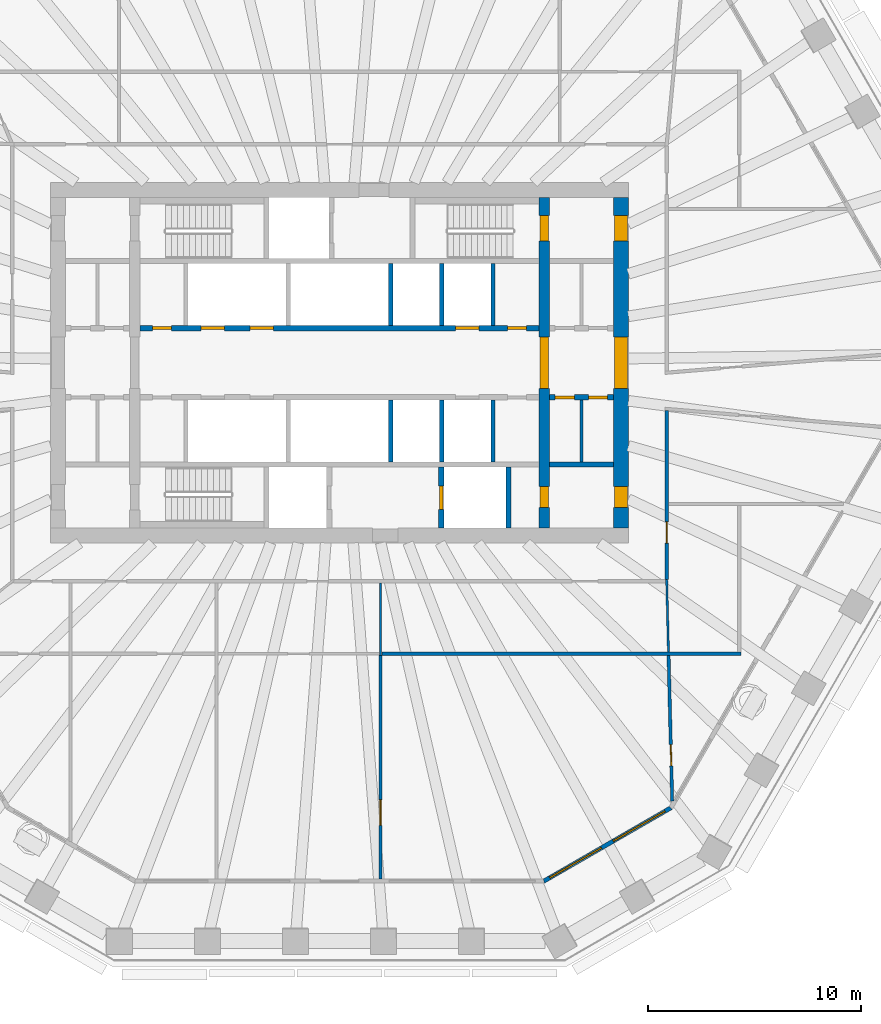
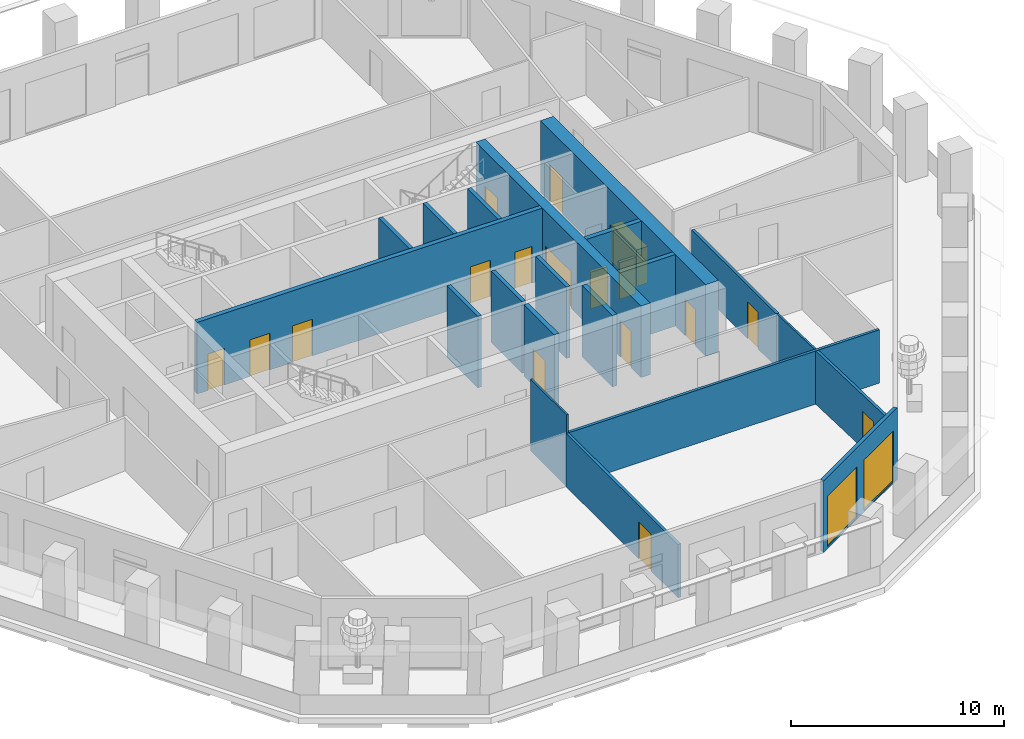
# One storey, part 5 of 12: 21 walls, 17 doors, 2 windows, 19 openings.
"""IFC4 building model written with IfcOpenShell, lengths in metres."""

from ifc_helpers import new_model, si_unit, direction, frame, frame_2d, origin, place, context, subcontext, project, spatial, polyline, rectangle, outline, extrude, material, layer, layer_set, type_object, element, fill, save


model = new_model("IFC4")

# Units and contexts
model_context = context("Model", 3, precision=1e-05, world=origin(), true_north=direction((0.0, 1.0)))
body_context = subcontext(model_context, "Body", "Model", "MODEL_VIEW")
ifc_project = project(units=[si_unit("LENGTHUNIT", "METRE"), si_unit("AREAUNIT", "SQUARE_METRE"), si_unit("VOLUMEUNIT", "CUBIC_METRE"), si_unit("PLANEANGLEUNIT", "RADIAN"), si_unit("MASSUNIT", "GRAM", prefix="KILO")], contexts=[model_context])

# Site, building, storey
site_placement = place(None, origin())
site = spatial("IfcSite", under=ifc_project, at=site_placement, CompositionType="ELEMENT")
building_placement = place(site_placement, origin())
building = spatial("IfcBuilding", under=site, at=building_placement, Name="Frailejon Research Tower", CompositionType="ELEMENT")
storey_placement = place(building_placement, frame((0.0, 0.0, 158.39990234375)))
storey = spatial("IfcBuildingStorey", under=building, at=storey_placement, Name="L34", CompositionType="ELEMENT", Elevation=158.39990234375)

# Wall
ifc_material_1 = material(Name="Plasterboard on steel studs", Category="steel")
ifc_layer_1 = layer(ifc_material_1, 0.125)
ifc_layer_set_1 = layer_set([ifc_layer_1], Name="Core partition 125")
wall_type_1 = type_object("IfcWallType", Name="Core partition 125", PredefinedType="PARTITIONING", material=ifc_layer_set_1)
wall_1_placement = place(storey_placement, frame((11.35009765625, -4.64990234375, 0.0), z_axis=(0.0, 0.0, 1.0), x_axis=(0.0, 1.0, 0.0)))
element("IfcWall", 1, at=wall_1_placement, inside=storey, type_object=wall_type_1, Name="Core partition", PredefinedType="PARTITIONING", context=body_context, shape_type="SweptSolid", body=[
    extrude(rectangle(XDim=2.89990234375, YDim=0.125, at=frame_2d((1.449951171875, 0.0))), origin(), (0.0, 0.0, 1.0), 4.10009765625),
])

# Wall, openings, doors
ifc_material_2 = material(Name="Concrete C60/75", Category="concrete")
ifc_layer_2 = layer(ifc_material_2, 0.5)
ifc_layer_set_2 = layer_set([ifc_layer_2], Name="Core shear wall 500 C60/75")
wall_type_2 = type_object("IfcWallType", Name="Core shear wall 500 C60/75", PredefinedType="SHEAR", material=ifc_layer_set_2)
wall_2_placement = place(storey_placement, frame((9.60009765625, -7.75, 0.0), z_axis=(0.0, 0.0, 1.0), x_axis=(0.0, 1.0, 0.0)))
wall_2 = element("IfcWall", 2, at=wall_2_placement, inside=storey, type_object=wall_type_2, Name="Core shear wall", PredefinedType="SHEAR", context=body_context, shape_type="SweptSolid", body=[
    extrude(rectangle(XDim=15.5, YDim=0.5, at=frame_2d((7.75, 0.0))), origin(), (0.0, 0.0, 1.0), 4.10009765625),
])
opening_1_placement = place(wall_2_placement, frame((6.550048828125, 0.0, 0.0)))
opening_1 = element("IfcOpeningElement", 3, at=opening_1_placement, cuts=wall_2, Name="Opening D2", PredefinedType="OPENING", context=body_context, shape_type="SweptSolid", body=[
    extrude(rectangle(XDim=2.39990234375, YDim=2.10009765625, at=frame_2d((1.199951171875, 1.050048828125))), frame((0.0, 0.260009765625, 0.0), z_axis=(0.0, -1.0, 0.0), x_axis=(1.0, 0.0, 0.0)), (0.0, 0.0, 1.0), 0.52001953125),
])
opening_2_placement = place(wall_2_placement, frame((13.449951171875, 0.0, 0.0)))
opening_2 = element("IfcOpeningElement", 4, at=opening_2_placement, cuts=wall_2, Name="Opening D1", PredefinedType="OPENING", context=body_context, shape_type="SweptSolid", body=[
    extrude(rectangle(XDim=1.199951171875, YDim=2.10009765625, at=frame_2d((0.60009765625, 1.050048828125))), frame((0.0, 0.260009765625, 0.0), z_axis=(0.0, -1.0, 0.0), x_axis=(1.0, 0.0, 0.0)), (0.0, 0.0, 1.0), 0.52001953125),
])
opening_3_placement = place(wall_2_placement, frame((0.949951171875, 0.0, 0.0)))
opening_3 = element("IfcOpeningElement", 5, at=opening_3_placement, cuts=wall_2, Name="Opening D4", PredefinedType="OPENING", context=body_context, shape_type="SweptSolid", body=[
    extrude(rectangle(XDim=1.0, YDim=2.10009765625, at=frame_2d((0.5, 1.050048828125))), frame((0.0, 0.260009765625, 0.0), z_axis=(0.0, -1.0, 0.0), x_axis=(1.0, 0.0, 0.0)), (0.0, 0.0, 1.0), 0.52001953125),
])
ifc_material_3 = material(Name="Steel", Category="steel")
door_type_1 = type_object("IfcDoorType", Name="Lobby double door", OperationType="DOUBLE_DOOR_SINGLE_SWING", PredefinedType="DOOR", material=ifc_material_3)
door_1_placement = place(opening_1_placement, origin())
door_1 = element("IfcDoor", 6, at=door_1_placement, inside=storey, type_object=door_type_1, Name="Lobby door", OperationType="DOUBLE_DOOR_SINGLE_SWING", OverallHeight=2.10009765625, OverallWidth=2.39990234375, PredefinedType="DOOR", context=body_context, shape_type="SweptSolid", body=[
    extrude(rectangle(XDim=2.39990234375, YDim=2.10009765625, at=frame_2d((1.199951171875, 1.050048828125))), frame((0.0, 0.199951171875, 0.0), z_axis=(0.0, -1.0, 0.0), x_axis=(1.0, 0.0, 0.0)), (0.0, 0.0, 1.0), 0.39990234375),
])
fill(opening_1, door_1)
ifc_material_4 = material(Name="Steel", Category="steel")
door_type_2 = type_object("IfcDoorType", Name="Service door", OperationType="SINGLE_SWING_LEFT", PredefinedType="DOOR", material=ifc_material_4)
door_2_placement = place(opening_3_placement, origin())
door_2 = element("IfcDoor", 7, at=door_2_placement, inside=storey, type_object=door_type_2, Name="Riser door", OperationType="SINGLE_SWING_LEFT", OverallHeight=2.10009765625, OverallWidth=1.0, PredefinedType="DOOR", context=body_context, shape_type="SweptSolid", body=[
    extrude(rectangle(XDim=1.0, YDim=2.10009765625, at=frame_2d((0.5, 1.050048828125))), frame((0.0, 0.199951171875, 0.0), z_axis=(0.0, -1.0, 0.0), x_axis=(1.0, 0.0, 0.0)), (0.0, 0.0, 1.0), 0.39990234375),
])
fill(opening_3, door_2)
ifc_material_5 = material(Name="Steel", Category="steel")
door_type_3 = type_object("IfcDoorType", Name="Stair door", OperationType="SINGLE_SWING_LEFT", PredefinedType="DOOR", material=ifc_material_5)
door_3_placement = place(opening_2_placement, origin())
door_3 = element("IfcDoor", 8, at=door_3_placement, inside=storey, type_object=door_type_3, Name="Stair door ST3", OperationType="SINGLE_SWING_LEFT", OverallHeight=2.10009765625, OverallWidth=1.199951171875, PredefinedType="DOOR", context=body_context, shape_type="SweptSolid", body=[
    extrude(rectangle(XDim=1.199951171875, YDim=2.10009765625, at=frame_2d((0.60009765625, 1.050048828125))), frame((0.0, 0.199951171875, 0.0), z_axis=(0.0, -1.0, 0.0), x_axis=(1.0, 0.0, 0.0)), (0.0, 0.0, 1.0), 0.39990234375),
])
fill(opening_2, door_3)

ifc_material_6 = material(Name="Concrete C60/75", Category="concrete")
ifc_layer_3 = layer(ifc_material_6, 0.699951171875)
ifc_layer_set_3 = layer_set([ifc_layer_3], Name="Core shear wall 700 C60/75")
wall_type_3 = type_object("IfcWallType", Name="Core shear wall 700 C60/75", PredefinedType="SHEAR", material=ifc_layer_set_3)
wall_3_placement = place(storey_placement, frame((13.199951171875, -7.75, 0.0), z_axis=(0.0, 0.0, 1.0), x_axis=(0.0, 1.0, 0.0)))
wall_3 = element("IfcWall", 9, at=wall_3_placement, inside=storey, type_object=wall_type_3, Name="Core shear wall", PredefinedType="SHEAR", context=body_context, shape_type="SweptSolid", body=[
    extrude(rectangle(XDim=15.5, YDim=0.699951171875, at=frame_2d((7.75, 0.0))), origin(), (0.0, 0.0, 1.0), 4.10009765625),
])
opening_4_placement = place(wall_3_placement, frame((6.550048828125, 0.0, 0.0)))
opening_4 = element("IfcOpeningElement", 10, at=opening_4_placement, cuts=wall_3, Name="Opening D2", PredefinedType="OPENING", context=body_context, shape_type="SweptSolid", body=[
    extrude(rectangle(XDim=2.39990234375, YDim=2.10009765625, at=frame_2d((1.199951171875, 1.050048828125))), frame((0.0, 0.35986328125, 0.0), z_axis=(0.0, -1.0, 0.0), x_axis=(1.0, 0.0, 0.0)), (0.0, 0.0, 1.0), 0.719970703125),
])
opening_5_placement = place(wall_3_placement, frame((13.449951171875, 0.0, 0.0)))
opening_5 = element("IfcOpeningElement", 11, at=opening_5_placement, cuts=wall_3, Name="Opening D7", PredefinedType="OPENING", context=body_context, shape_type="SweptSolid", body=[
    extrude(rectangle(XDim=1.199951171875, YDim=2.10009765625, at=frame_2d((0.60009765625, 1.050048828125))), frame((0.0, 0.35986328125, 0.0), z_axis=(0.0, -1.0, 0.0), x_axis=(1.0, 0.0, 0.0)), (0.0, 0.0, 1.0), 0.719970703125),
])
opening_6_placement = place(wall_3_placement, frame((0.949951171875, 0.0, 0.0)))
opening_6 = element("IfcOpeningElement", 12, at=opening_6_placement, cuts=wall_3, Name="Opening D4", PredefinedType="OPENING", context=body_context, shape_type="SweptSolid", body=[
    extrude(rectangle(XDim=1.0, YDim=2.10009765625, at=frame_2d((0.5, 1.050048828125))), frame((0.0, 0.35986328125, 0.0), z_axis=(0.0, -1.0, 0.0), x_axis=(1.0, 0.0, 0.0)), (0.0, 0.0, 1.0), 0.719970703125),
])
door_4_placement = place(opening_4_placement, origin())
door_4 = element("IfcDoor", 13, at=door_4_placement, inside=storey, type_object=door_type_1, Name="Lobby door", OperationType="DOUBLE_DOOR_SINGLE_SWING", OverallHeight=2.10009765625, OverallWidth=2.39990234375, PredefinedType="DOOR", context=body_context, shape_type="SweptSolid", body=[
    extrude(rectangle(XDim=2.39990234375, YDim=2.10009765625, at=frame_2d((1.199951171875, 1.050048828125))), frame((0.0, 0.300048828125, 0.0), z_axis=(0.0, -1.0, 0.0), x_axis=(1.0, 0.0, 0.0)), (0.0, 0.0, 1.0), 0.60009765625),
])
fill(opening_4, door_4)
door_5_placement = place(opening_6_placement, origin())
door_5 = element("IfcDoor", 14, at=door_5_placement, inside=storey, type_object=door_type_2, Name="Store door", OperationType="SINGLE_SWING_RIGHT", OverallHeight=2.10009765625, OverallWidth=1.0, PredefinedType="DOOR", context=body_context, shape_type="SweptSolid", body=[
    extrude(rectangle(XDim=1.0, YDim=2.10009765625, at=frame_2d((0.5, 1.050048828125))), frame((0.0, 0.300048828125, 0.0), z_axis=(0.0, -1.0, 0.0), x_axis=(1.0, 0.0, 0.0)), (0.0, 0.0, 1.0), 0.60009765625),
])
fill(opening_6, door_5)
ifc_material_7 = material(Name="Steel", Category="steel")
door_type_4 = type_object("IfcDoorType", Name="Stair exit door", OperationType="SINGLE_SWING_LEFT", PredefinedType="DOOR", material=ifc_material_7)
door_6_placement = place(opening_5_placement, origin())
door_6 = element("IfcDoor", 15, at=door_6_placement, inside=storey, type_object=door_type_4, Name="Stair exit door ST3", OperationType="SINGLE_SWING_RIGHT", OverallHeight=2.10009765625, OverallWidth=1.199951171875, PredefinedType="DOOR", context=body_context, shape_type="SweptSolid", body=[
    extrude(rectangle(XDim=1.199951171875, YDim=2.10009765625, at=frame_2d((0.60009765625, 1.050048828125))), frame((0.0, 0.300048828125, 0.0), z_axis=(0.0, -1.0, 0.0), x_axis=(1.0, 0.0, 0.0)), (0.0, 0.0, 1.0), 0.60009765625),
])
fill(opening_5, door_6)

# Wall, opening, door
ifc_material_8 = material(Name="Gypsum board and masonry partition", Category="masonry")
ifc_layer_4 = layer(ifc_material_8, 0.14990234375)
ifc_layer_set_4 = layer_set([ifc_layer_4], Name="Corridor wall EI 60, gypsum on steel studs 150")
wall_type_4 = type_object("IfcWallType", Name="Corridor wall EI 60, gypsum on steel studs 150", PredefinedType="PARTITIONING", material=ifc_layer_set_4)
wall_4_placement = place(storey_placement, frame((15.35009765625, -10.175048828125, 0.0), z_axis=(0.0, 0.0, 1.0), x_axis=(0.0, 1.0, 0.0)))
wall_4 = element("IfcWall", 16, at=wall_4_placement, inside=storey, type_object=wall_type_4, Name="T:IW:L34:003", PredefinedType="PARTITIONING", context=body_context, shape_type="SweptSolid", body=[
    extrude(rectangle(XDim=7.932861328125, YDim=0.14990234375, at=frame_2d((3.96630859375, 0.0))), origin(), (0.0, 0.0, 1.0), 3.050048828125),
])
opening_7_placement = place(wall_4_placement, frame((1.71533203125, 0.0, 0.0)))
opening_7 = element("IfcOpeningElement", 17, at=opening_7_placement, cuts=wall_4, Name="Opening D1755", PredefinedType="OPENING", context=body_context, shape_type="SweptSolid", body=[
    extrude(rectangle(XDim=1.0, YDim=2.10009765625, at=frame_2d((0.5, 1.050048828125))), frame((0.0, 0.0849609375, 0.0), z_axis=(0.0, -1.0, 0.0), x_axis=(1.0, 0.0, 0.0)), (0.0, 0.0, 1.0), 0.169921875),
])
ifc_material_9 = material(Name="Timber door leaf", Category="wood")
door_type_5 = type_object("IfcDoorType", Name="Door single leaf, timber, steel frame 1000", OperationType="NOTDEFINED", PredefinedType="DOOR", material=ifc_material_9)
door_7_placement = place(opening_7_placement, origin())
door_7 = element("IfcDoor", 18, at=door_7_placement, inside=storey, type_object=door_type_5, Name="D1755", OperationType="SINGLE_SWING_RIGHT", OverallHeight=2.10009765625, OverallWidth=1.0, PredefinedType="DOOR", context=body_context, shape_type="SweptSolid", body=[
    extrude(rectangle(XDim=1.0, YDim=2.10009765625, at=frame_2d((0.5, 1.050048828125))), frame((0.0, 0.02490234375, 0.0), z_axis=(0.0, -1.0, 0.0), x_axis=(1.0, 0.0, 0.0)), (0.0, 0.0, 1.0), 0.050048828125),
])
fill(opening_7, door_7)

# Wall
ifc_material_10 = material(Name="Gypsum board and masonry partition", Category="masonry")
ifc_layer_5 = layer(ifc_material_10, 0.14990234375)
ifc_layer_set_5 = layer_set([ifc_layer_5], Name="Laboratory partition, blockwork 150")
wall_type_5 = type_object("IfcWallType", Name="Laboratory partition, blockwork 150", PredefinedType="PARTITIONING", material=ifc_layer_set_5)
wall_5_placement = place(storey_placement, frame((1.998291015625, -13.64990234375, 0.0), z_axis=(0.0, 0.0, 1.0), x_axis=(1.0, 0.0, 0.0)))
element("IfcWall", 19, at=wall_5_placement, inside=storey, type_object=wall_type_5, Name="T:IW:L34:023", PredefinedType="PARTITIONING", context=body_context, shape_type="SweptSolid", body=[
    extrude(rectangle(XDim=16.82666015625, YDim=0.14990234375, at=frame_2d((8.413330078125, 0.0))), origin(), (0.0, 0.0, 1.0), 3.050048828125),
])

# Wall, opening, door
wall_6_placement = place(storey_placement, frame((1.92333984375, -24.21484375, 0.0), z_axis=(0.0, 0.0, 1.0), x_axis=(0.0, 1.0, 0.0)))
wall_6 = element("IfcWall", 20, at=wall_6_placement, inside=storey, type_object=wall_type_5, Name="T:IW:L34:027", PredefinedType="PARTITIONING", context=body_context, shape_type="SweptSolid", body=[
    extrude(rectangle(XDim=10.514892578125, YDim=0.14990234375, at=frame_2d((5.25732421875, 0.0))), origin(), (0.0, 0.0, 1.0), 3.050048828125),
])
opening_8_placement = place(wall_6_placement, frame((2.51611328125, 0.0, 0.0)))
opening_8 = element("IfcOpeningElement", 21, at=opening_8_placement, cuts=wall_6, Name="Opening D1752", PredefinedType="OPENING", context=body_context, shape_type="SweptSolid", body=[
    extrude(rectangle(XDim=1.199951171875, YDim=2.10009765625, at=frame_2d((0.60009765625, 1.050048828125))), frame((0.0, 0.0849609375, 0.0), z_axis=(0.0, -1.0, 0.0), x_axis=(1.0, 0.0, 0.0)), (0.0, 0.0, 1.0), 0.169921875),
])
ifc_material_11 = material(Name="Timber door leaf", Category="wood")
door_type_6 = type_object("IfcDoorType", Name="Door laboratory, timber, vision panel 1200", OperationType="NOTDEFINED", PredefinedType="DOOR", material=ifc_material_11)
door_8_placement = place(opening_8_placement, origin())
door_8 = element("IfcDoor", 22, at=door_8_placement, inside=storey, type_object=door_type_6, Name="D1752", OperationType="DOUBLE_DOOR_SINGLE_SWING", OverallHeight=2.10009765625, OverallWidth=1.199951171875, PredefinedType="DOOR", context=body_context, shape_type="SweptSolid", body=[
    extrude(rectangle(XDim=1.199951171875, YDim=2.10009765625, at=frame_2d((0.60009765625, 1.050048828125))), frame((0.0, 0.02490234375, 0.0), z_axis=(0.0, -1.0, 0.0), x_axis=(1.0, 0.0, 0.0)), (0.0, 0.0, 1.0), 0.050048828125),
])
fill(opening_8, door_8)

wall_7_placement = place(storey_placement, frame((15.436767578125, -13.72509765625, 0.0), z_axis=(0.0, 0.0, 1.0), x_axis=(0.024933372279, -0.999689115149, 0.0)))
wall_7 = element("IfcWall", 23, at=wall_7_placement, inside=storey, type_object=wall_type_5, Name="T:IW:L34:028", PredefinedType="PARTITIONING", context=body_context, shape_type="SweptSolid", body=[
    extrude(rectangle(XDim=6.844482421875, YDim=0.14990234375, at=frame_2d((3.42236328125, 0.0))), origin(), (0.0, 0.0, 1.0), 3.050048828125),
])
opening_9_placement = place(wall_7_placement, frame((4.189697265625, 0.0, 0.0)))
opening_9 = element("IfcOpeningElement", 24, at=opening_9_placement, cuts=wall_7, Name="Opening D1754", PredefinedType="OPENING", context=body_context, shape_type="SweptSolid", body=[
    extrude(rectangle(XDim=1.0, YDim=2.10009765625, at=frame_2d((0.5, 1.050048828125))), frame((0.0, 0.0849609375, 0.0), z_axis=(0.0, -1.0, 0.0), x_axis=(1.0, 0.0, 0.0)), (0.0, 0.0, 1.0), 0.169921875),
])
ifc_material_12 = material(Name="Timber door leaf", Category="wood")
door_type_7 = type_object("IfcDoorType", Name="Door laboratory, timber, vision panel 1000", OperationType="NOTDEFINED", PredefinedType="DOOR", material=ifc_material_12)
door_9_placement = place(opening_9_placement, origin())
door_9 = element("IfcDoor", 25, at=door_9_placement, inside=storey, type_object=door_type_7, Name="D1754", OperationType="SINGLE_SWING_LEFT", OverallHeight=2.10009765625, OverallWidth=1.0, PredefinedType="DOOR", context=body_context, shape_type="SweptSolid", body=[
    extrude(rectangle(XDim=1.0, YDim=2.10009765625, at=frame_2d((0.5, 1.050048828125))), frame((0.0, 0.02490234375, 0.0), z_axis=(0.0, -1.0, 0.0), x_axis=(1.0, 0.0, 0.0)), (0.0, 0.0, 1.0), 0.050048828125),
])
fill(opening_9, door_9)

# Walls
ifc_material_13 = material(Name="Gypsum board and masonry partition", Category="masonry")
ifc_layer_6 = layer(ifc_material_13, 0.10009765625)
ifc_layer_set_6 = layer_set([ifc_layer_6], Name="Partition, gypsum on steel studs 100")
wall_type_6 = type_object("IfcWallType", Name="Partition, gypsum on steel studs 100", PredefinedType="PARTITIONING", material=ifc_layer_set_6)
wall_8_placement = place(storey_placement, frame((1.92333984375, -13.72509765625, 0.0), z_axis=(0.0, 0.0, 1.0), x_axis=(0.0, 1.0, 0.0)))
element("IfcWall", 26, at=wall_8_placement, inside=storey, type_object=wall_type_6, Name="T:IW:L34:034", PredefinedType="PARTITIONING", context=body_context, shape_type="SweptSolid", body=[
    extrude(rectangle(XDim=3.400146484375, YDim=0.10009765625, at=frame_2d((1.7001953125, 0.0))), origin(), (0.0, 0.0, 1.0), 4.10009765625),
])
wall_9_placement = place(storey_placement, frame((15.34814453125, -10.175048828125, 0.0), z_axis=(0.0, 0.0, 1.0), x_axis=(0.024909688915, -0.999689705558, 0.0)))
element("IfcWall", 27, at=wall_9_placement, inside=storey, type_object=wall_type_6, Name="T:IW:L34:035", PredefinedType="PARTITIONING", context=body_context, shape_type="SweptSolid", body=[
    extrude(rectangle(XDim=3.40087890625, YDim=0.10009765625, at=frame_2d((1.700439453125, 0.0))), origin(), (0.0, 0.0, 1.0), 3.050048828125),
])
ifc_material_14 = material(Name="Concrete C60/75", Category="concrete")
ifc_layer_7 = layer(ifc_material_14, 0.199951171875)
ifc_layer_set_7 = layer_set([ifc_layer_7], Name="Shaft wall 200 C60/75")
wall_type_7 = type_object("IfcWallType", Name="Shaft wall 200 C60/75", PredefinedType="SOLIDWALL", material=ifc_layer_set_7)
for number, where, z_axis, x_axis, name in (
    (28, (2.39990234375, 1.75, 0.0), (0.0, 0.0, 1.0), (0.0, 1.0, 0.0), "Shaft wall"),
    (29, (4.800048828125, 1.75, 0.0), (0.0, 0.0, 1.0), (0.0, 1.0, 0.0), "Shaft wall"),
    (30, (7.199951171875, 1.75, 0.0), (0.0, 0.0, 1.0), (0.0, 1.0, 0.0), "Shaft wall"),
    (31, (2.39990234375, -4.64990234375, 0.0), (0.0, 0.0, 1.0), (0.0, 1.0, 0.0), "Shaft wall"),
    (32, (4.800048828125, -4.64990234375, 0.0), (0.0, 0.0, 1.0), (0.0, 1.0, 0.0), "Shaft wall"),
    (33, (7.199951171875, -4.64990234375, 0.0), (0.0, 0.0, 1.0), (0.0, 1.0, 0.0), "Shaft wall"),
):
    element("IfcWall", number, at=place(storey_placement, frame(where, z_axis=z_axis, x_axis=x_axis)), inside=storey, type_object=wall_type_7, Name=name, PredefinedType="SOLIDWALL", context=body_context, shape_type="SweptSolid", body=[
        extrude(rectangle(XDim=2.89990234375, YDim=0.199951171875, at=frame_2d((1.449951171875, 0.0))), origin(), (0.0, 0.0, 1.0), 4.10009765625),
    ])

# Wall, openings, doors
ifc_material_15 = material(Name="Concrete C60/75", Category="concrete")
ifc_layer_8 = layer(ifc_material_15, 0.25)
ifc_layer_set_8 = layer_set([ifc_layer_8], Name="Shaft wall 250 C60/75")
wall_type_8 = type_object("IfcWallType", Name="Shaft wall 250 C60/75", PredefinedType="SOLIDWALL", material=ifc_layer_set_8)
wall_10_placement = place(storey_placement, frame((-9.35009765625, 1.625, 0.0), z_axis=(0.0, 0.0, 1.0), x_axis=(1.0, 0.0, 0.0)))
wall_10 = element("IfcWall", 34, at=wall_10_placement, inside=storey, type_object=wall_type_8, Name="Shaft wall", PredefinedType="SOLIDWALL", context=body_context, shape_type="SweptSolid", body=[
    extrude(rectangle(XDim=18.7001953125, YDim=0.25, at=frame_2d((9.35009765625, 0.0))), origin(), (0.0, 0.0, 1.0), 4.10009765625),
])
opening_10_placement = place(wall_10_placement, frame((2.85009765625, 0.0, 0.0)))
opening_10 = element("IfcOpeningElement", 35, at=opening_10_placement, cuts=wall_10, Name="Opening LD", PredefinedType="OPENING", context=body_context, shape_type="SweptSolid", body=[
    extrude(rectangle(XDim=1.10009765625, YDim=2.10009765625, at=frame_2d((0.550048828125, 1.050048828125))), frame((0.0, 0.135009765625, 0.0), z_axis=(0.0, -1.0, 0.0), x_axis=(1.0, 0.0, 0.0)), (0.0, 0.0, 1.0), 0.27001953125),
])
opening_11_placement = place(wall_10_placement, frame((5.14990234375, 0.0, 0.0)))
opening_11 = element("IfcOpeningElement", 36, at=opening_11_placement, cuts=wall_10, Name="Opening LD", PredefinedType="OPENING", context=body_context, shape_type="SweptSolid", body=[
    extrude(rectangle(XDim=1.10009765625, YDim=2.10009765625, at=frame_2d((0.550048828125, 1.050048828125))), frame((0.0, 0.135009765625, 0.0), z_axis=(0.0, -1.0, 0.0), x_axis=(1.0, 0.0, 0.0)), (0.0, 0.0, 1.0), 0.27001953125),
])
opening_12_placement = place(wall_10_placement, frame((14.800048828125, 0.0, 0.0)))
opening_12 = element("IfcOpeningElement", 37, at=opening_12_placement, cuts=wall_10, Name="Opening LD", PredefinedType="OPENING", context=body_context, shape_type="SweptSolid", body=[
    extrude(rectangle(XDim=1.10009765625, YDim=2.10009765625, at=frame_2d((0.550048828125, 1.050048828125))), frame((0.0, 0.135009765625, 0.0), z_axis=(0.0, -1.0, 0.0), x_axis=(1.0, 0.0, 0.0)), (0.0, 0.0, 1.0), 0.27001953125),
])
opening_13_placement = place(wall_10_placement, frame((0.574951171875, 0.0, 0.0)))
opening_13 = element("IfcOpeningElement", 38, at=opening_13_placement, cuts=wall_10, Name="Opening D8", PredefinedType="OPENING", context=body_context, shape_type="SweptSolid", body=[
    extrude(rectangle(XDim=0.89990234375, YDim=2.10009765625, at=frame_2d((0.449951171875, 1.050048828125))), frame((0.0, 0.135009765625, 0.0), z_axis=(0.0, -1.0, 0.0), x_axis=(1.0, 0.0, 0.0)), (0.0, 0.0, 1.0), 0.27001953125),
])
opening_14_placement = place(wall_10_placement, frame((17.22509765625, 0.0, 0.0)))
opening_14 = element("IfcOpeningElement", 39, at=opening_14_placement, cuts=wall_10, Name="Opening D8", PredefinedType="OPENING", context=body_context, shape_type="SweptSolid", body=[
    extrude(rectangle(XDim=0.89990234375, YDim=2.10009765625, at=frame_2d((0.449951171875, 1.050048828125))), frame((0.0, 0.135009765625, 0.0), z_axis=(0.0, -1.0, 0.0), x_axis=(1.0, 0.0, 0.0)), (0.0, 0.0, 1.0), 0.27001953125),
])
ifc_material_16 = material(Name="Steel", Category="steel")
door_type_8 = type_object("IfcDoorType", Name="Core room door", OperationType="SINGLE_SWING_LEFT", PredefinedType="DOOR", material=ifc_material_16)
door_10_placement = place(opening_13_placement, origin())
door_10 = element("IfcDoor", 40, at=door_10_placement, inside=storey, type_object=door_type_8, Name="Room door", OperationType="SINGLE_SWING_LEFT", OverallHeight=2.10009765625, OverallWidth=0.89990234375, PredefinedType="DOOR", context=body_context, shape_type="SweptSolid", body=[
    extrude(rectangle(XDim=0.89990234375, YDim=2.10009765625, at=frame_2d((0.449951171875, 1.050048828125))), frame((0.0, 0.074951171875, 0.0), z_axis=(0.0, -1.0, 0.0), x_axis=(1.0, 0.0, 0.0)), (0.0, 0.0, 1.0), 0.14990234375),
])
fill(opening_13, door_10)
door_11_placement = place(opening_14_placement, origin())
door_11 = element("IfcDoor", 41, at=door_11_placement, inside=storey, type_object=door_type_8, Name="Room door", OperationType="SINGLE_SWING_RIGHT", OverallHeight=2.10009765625, OverallWidth=0.89990234375, PredefinedType="DOOR", context=body_context, shape_type="SweptSolid", body=[
    extrude(rectangle(XDim=0.89990234375, YDim=2.10009765625, at=frame_2d((0.449951171875, 1.050048828125))), frame((0.0, 0.074951171875, 0.0), z_axis=(0.0, -1.0, 0.0), x_axis=(1.0, 0.0, 0.0)), (0.0, 0.0, 1.0), 0.14990234375),
])
fill(opening_14, door_11)
ifc_material_17 = material(Name="Steel", Category="steel")
door_type_9 = type_object("IfcDoorType", Name="Lift landing door", OperationType="DOUBLE_DOOR_SLIDING", PredefinedType="DOOR", material=ifc_material_17)
door_12_placement = place(opening_10_placement, origin())
door_12 = element("IfcDoor", 42, at=door_12_placement, inside=storey, type_object=door_type_9, Name="Lift landing door", OperationType="DOUBLE_DOOR_SLIDING", OverallHeight=2.10009765625, OverallWidth=1.10009765625, PredefinedType="DOOR", context=body_context, shape_type="SweptSolid", body=[
    extrude(rectangle(XDim=1.10009765625, YDim=2.10009765625, at=frame_2d((0.550048828125, 1.050048828125))), frame((0.0, 0.074951171875, 0.0), z_axis=(0.0, -1.0, 0.0), x_axis=(1.0, 0.0, 0.0)), (0.0, 0.0, 1.0), 0.14990234375),
])
fill(opening_10, door_12)
door_13_placement = place(opening_11_placement, origin())
door_13 = element("IfcDoor", 43, at=door_13_placement, inside=storey, type_object=door_type_9, Name="Lift landing door", OperationType="DOUBLE_DOOR_SLIDING", OverallHeight=2.10009765625, OverallWidth=1.10009765625, PredefinedType="DOOR", context=body_context, shape_type="SweptSolid", body=[
    extrude(rectangle(XDim=1.10009765625, YDim=2.10009765625, at=frame_2d((0.550048828125, 1.050048828125))), frame((0.0, 0.074951171875, 0.0), z_axis=(0.0, -1.0, 0.0), x_axis=(1.0, 0.0, 0.0)), (0.0, 0.0, 1.0), 0.14990234375),
])
fill(opening_11, door_13)
door_14_placement = place(opening_12_placement, origin())
door_14 = element("IfcDoor", 44, at=door_14_placement, inside=storey, type_object=door_type_9, Name="Lift landing door", OperationType="DOUBLE_DOOR_SLIDING", OverallHeight=2.10009765625, OverallWidth=1.10009765625, PredefinedType="DOOR", context=body_context, shape_type="SweptSolid", body=[
    extrude(rectangle(XDim=1.10009765625, YDim=2.10009765625, at=frame_2d((0.550048828125, 1.050048828125))), frame((0.0, 0.074951171875, 0.0), z_axis=(0.0, -1.0, 0.0), x_axis=(1.0, 0.0, 0.0)), (0.0, 0.0, 1.0), 0.14990234375),
])
fill(opening_12, door_14)

wall_11_placement = place(storey_placement, frame((9.85009765625, -1.625, 0.0), z_axis=(0.0, 0.0, 1.0), x_axis=(1.0, 0.0, 0.0)))
wall_11 = element("IfcWall", 45, at=wall_11_placement, inside=storey, type_object=wall_type_8, Name="Shaft wall", PredefinedType="SOLIDWALL", context=body_context, shape_type="SweptSolid", body=[
    extrude(rectangle(XDim=3.0, YDim=0.25, at=frame_2d((1.5, 0.0))), origin(), (0.0, 0.0, 1.0), 4.10009765625),
])
opening_15_placement = place(wall_11_placement, frame((0.268798828125, 0.0, 0.0)))
opening_15 = element("IfcOpeningElement", 46, at=opening_15_placement, cuts=wall_11, Name="Opening D8", PredefinedType="OPENING", context=body_context, shape_type="SweptSolid", body=[
    extrude(rectangle(XDim=0.89990234375, YDim=2.10009765625, at=frame_2d((0.449951171875, 1.050048828125))), frame((0.0, 0.135009765625, 0.0), z_axis=(0.0, -1.0, 0.0), x_axis=(1.0, 0.0, 0.0)), (0.0, 0.0, 1.0), 0.27001953125),
])
opening_16_placement = place(wall_11_placement, frame((1.831298828125, 0.0, 0.0)))
opening_16 = element("IfcOpeningElement", 47, at=opening_16_placement, cuts=wall_11, Name="Opening D8", PredefinedType="OPENING", context=body_context, shape_type="SweptSolid", body=[
    extrude(rectangle(XDim=0.89990234375, YDim=2.10009765625, at=frame_2d((0.449951171875, 1.050048828125))), frame((0.0, 0.135009765625, 0.0), z_axis=(0.0, -1.0, 0.0), x_axis=(1.0, 0.0, 0.0)), (0.0, 0.0, 1.0), 0.27001953125),
])
door_15_placement = place(opening_15_placement, origin())
door_15 = element("IfcDoor", 48, at=door_15_placement, inside=storey, type_object=door_type_8, Name="Room door", OperationType="SINGLE_SWING_LEFT", OverallHeight=2.10009765625, OverallWidth=0.89990234375, PredefinedType="DOOR", context=body_context, shape_type="SweptSolid", body=[
    extrude(rectangle(XDim=0.89990234375, YDim=2.10009765625, at=frame_2d((0.449951171875, 1.050048828125))), frame((0.0, 0.074951171875, 0.0), z_axis=(0.0, -1.0, 0.0), x_axis=(1.0, 0.0, 0.0)), (0.0, 0.0, 1.0), 0.14990234375),
])
fill(opening_15, door_15)
door_16_placement = place(opening_16_placement, origin())
door_16 = element("IfcDoor", 49, at=door_16_placement, inside=storey, type_object=door_type_8, Name="Room door", OperationType="SINGLE_SWING_RIGHT", OverallHeight=2.10009765625, OverallWidth=0.89990234375, PredefinedType="DOOR", context=body_context, shape_type="SweptSolid", body=[
    extrude(rectangle(XDim=0.89990234375, YDim=2.10009765625, at=frame_2d((0.449951171875, 1.050048828125))), frame((0.0, 0.074951171875, 0.0), z_axis=(0.0, -1.0, 0.0), x_axis=(1.0, 0.0, 0.0)), (0.0, 0.0, 1.0), 0.14990234375),
])
fill(opening_16, door_16)

# Wall
wall_12_placement = place(storey_placement, frame((9.85009765625, -4.77490234375, 0.0), z_axis=(0.0, 0.0, 1.0), x_axis=(1.0, 0.0, 0.0)))
element("IfcWall", 50, at=wall_12_placement, inside=storey, type_object=wall_type_8, Name="Shaft wall", PredefinedType="SOLIDWALL", context=body_context, shape_type="SweptSolid", body=[
    extrude(rectangle(XDim=3.0, YDim=0.25, at=frame_2d((1.5, 0.0))), origin(), (0.0, 0.0, 1.0), 4.10009765625),
])

# Wall, opening, door
wall_13_placement = place(storey_placement, frame((4.77490234375, -7.75, 0.0), z_axis=(0.0, 0.0, 1.0), x_axis=(0.0, 1.0, 0.0)))
wall_13 = element("IfcWall", 51, at=wall_13_placement, inside=storey, type_object=wall_type_8, Name="Shaft wall", PredefinedType="SOLIDWALL", context=body_context, shape_type="SweptSolid", body=[
    extrude(rectangle(XDim=2.85009765625, YDim=0.25, at=frame_2d((1.425048828125, 0.0))), origin(), (0.0, 0.0, 1.0), 4.10009765625),
])
opening_17_placement = place(wall_13_placement, frame((0.875, 0.0, 0.0)))
opening_17 = element("IfcOpeningElement", 52, at=opening_17_placement, cuts=wall_13, Name="Opening LD", PredefinedType="OPENING", context=body_context, shape_type="SweptSolid", body=[
    extrude(rectangle(XDim=1.10009765625, YDim=2.10009765625, at=frame_2d((0.550048828125, 1.050048828125))), frame((0.0, 0.135009765625, 0.0), z_axis=(0.0, -1.0, 0.0), x_axis=(1.0, 0.0, 0.0)), (0.0, 0.0, 1.0), 0.27001953125),
])
door_17_placement = place(opening_17_placement, origin())
door_17 = element("IfcDoor", 53, at=door_17_placement, inside=storey, type_object=door_type_9, Name="Lift landing door", OperationType="DOUBLE_DOOR_SLIDING", OverallHeight=2.10009765625, OverallWidth=1.10009765625, PredefinedType="DOOR", context=body_context, shape_type="SweptSolid", body=[
    extrude(rectangle(XDim=1.10009765625, YDim=2.10009765625, at=frame_2d((0.550048828125, 1.050048828125))), frame((0.0, 0.074951171875, 0.0), z_axis=(0.0, -1.0, 0.0), x_axis=(1.0, 0.0, 0.0)), (0.0, 0.0, 1.0), 0.14990234375),
])
fill(opening_17, door_17)

# Wall
wall_14_placement = place(storey_placement, frame((7.925048828125, -7.75, 0.0), z_axis=(0.0, 0.0, 1.0), x_axis=(0.0, 1.0, 0.0)))
element("IfcWall", 54, at=wall_14_placement, inside=storey, type_object=wall_type_8, Name="Shaft wall", PredefinedType="SOLIDWALL", context=body_context, shape_type="SweptSolid", body=[
    extrude(rectangle(XDim=2.85009765625, YDim=0.25, at=frame_2d((1.425048828125, 0.0))), origin(), (0.0, 0.0, 1.0), 4.10009765625),
])

# Wall, openings, windows
ifc_material_18 = material(Name="Concrete C40/50 precast window wall panel", Category="concrete")
ifc_layer_9 = layer(ifc_material_18, 0.199951171875)
ifc_layer_set_9 = layer_set([ifc_layer_9], Name="Window wall 200")
wall_type_9 = type_object("IfcWallType", Name="Window wall 200", PredefinedType="SOLIDWALL", material=ifc_layer_set_9)
wall_15_placement = place(storey_placement, frame((9.590087890625, -24.314697265625, 0.0), z_axis=(0.0, 0.0, 1.0), x_axis=(0.866029458321, 0.49999297727, 0.0)))
wall_15 = element("IfcWall", 55, at=wall_15_placement, inside=storey, type_object=wall_type_9, Name="Exterior wall L34", PredefinedType="SOLIDWALL", context=body_context, shape_type="SweptSolid", body=[
    extrude(outline(polyline([(-0.02685546875, -0.10009765625), (1.1279296875, -0.10009765625), (2.282470703125, -0.10009765625), (3.437255859375, -0.10009765625), (4.592041015625, -0.10009765625), (5.74658203125, -0.10009765625), (6.9013671875, -0.10009765625), (6.84765625, 0.10009765625), (5.7109375, 0.10009765625), (4.573974609375, 0.10009765625), (3.437255859375, 0.10009765625), (2.300537109375, 0.10009765625), (1.16357421875, 0.10009765625), (0.02685546875, 0.10009765625), (-0.02685546875, -0.10009765625)])), origin(), (0.0, 0.0, 1.0), 4.10009765625),
])
opening_18_placement = place(wall_15_placement, frame((0.318603515625, 0.0, 0.10009765625)))
opening_18 = element("IfcOpeningElement", 56, at=opening_18_placement, cuts=wall_15, Name="Opening W3", PredefinedType="OPENING", context=body_context, shape_type="SweptSolid", body=[
    extrude(rectangle(XDim=2.800048828125, YDim=2.89990234375, at=frame_2d((1.39990234375, 1.449951171875))), frame((0.0, 0.10986328125, 0.0), z_axis=(0.0, -1.0, 0.0), x_axis=(1.0, 0.0, 0.0)), (0.0, 0.0, 1.0), 0.219970703125),
])
opening_19_placement = place(wall_15_placement, frame((3.756103515625, 0.0, 0.10009765625)))
opening_19 = element("IfcOpeningElement", 57, at=opening_19_placement, cuts=wall_15, Name="Opening W3", PredefinedType="OPENING", context=body_context, shape_type="SweptSolid", body=[
    extrude(rectangle(XDim=2.800048828125, YDim=2.89990234375, at=frame_2d((1.39990234375, 1.449951171875))), frame((0.0, 0.10986328125, 0.0), z_axis=(0.0, -1.0, 0.0), x_axis=(1.0, 0.0, 0.0)), (0.0, 0.0, 1.0), 0.219970703125),
])
ifc_material_19 = material(Name="Aluminium framed double glazing", Category="aluminium")
window_type = type_object("IfcWindowType", Name="Window 2800x2900", PartitioningType="SINGLE_PANEL", PredefinedType="WINDOW", material=ifc_material_19)
window_1_placement = place(opening_18_placement, origin())
window_1 = element("IfcWindow", 58, at=window_1_placement, inside=storey, type_object=window_type, Name="Window L34", OverallHeight=2.89990234375, OverallWidth=2.800048828125, PartitioningType="SINGLE_PANEL", PredefinedType="WINDOW", context=body_context, shape_type="SweptSolid", body=[
    extrude(rectangle(XDim=2.800048828125, YDim=2.89990234375, at=frame_2d((1.39990234375, 1.449951171875))), frame((0.0, 0.030029296875, 0.0), z_axis=(0.0, -1.0, 0.0), x_axis=(1.0, 0.0, 0.0)), (0.0, 0.0, 1.0), 0.06005859375),
])
fill(opening_18, window_1)
window_2_placement = place(opening_19_placement, origin())
window_2 = element("IfcWindow", 59, at=window_2_placement, inside=storey, type_object=window_type, Name="Window L34", OverallHeight=2.89990234375, OverallWidth=2.800048828125, PartitioningType="SINGLE_PANEL", PredefinedType="WINDOW", context=body_context, shape_type="SweptSolid", body=[
    extrude(rectangle(XDim=2.800048828125, YDim=2.89990234375, at=frame_2d((1.39990234375, 1.449951171875))), frame((0.0, 0.030029296875, 0.0), z_axis=(0.0, -1.0, 0.0), x_axis=(1.0, 0.0, 0.0)), (0.0, 0.0, 1.0), 0.06005859375),
])
fill(opening_19, window_2)

save(model, "model.ifc")
